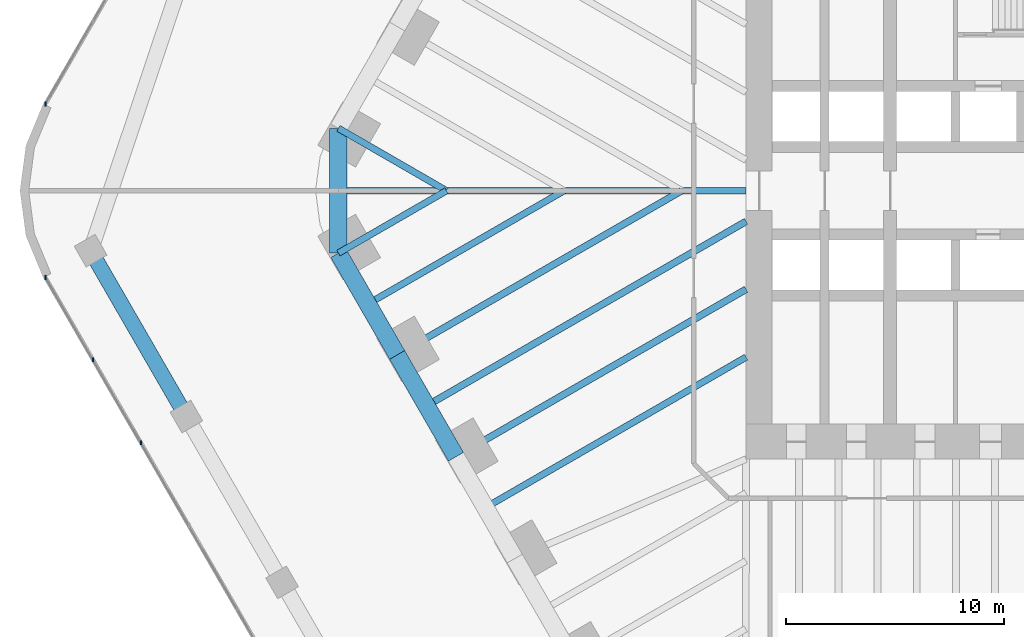
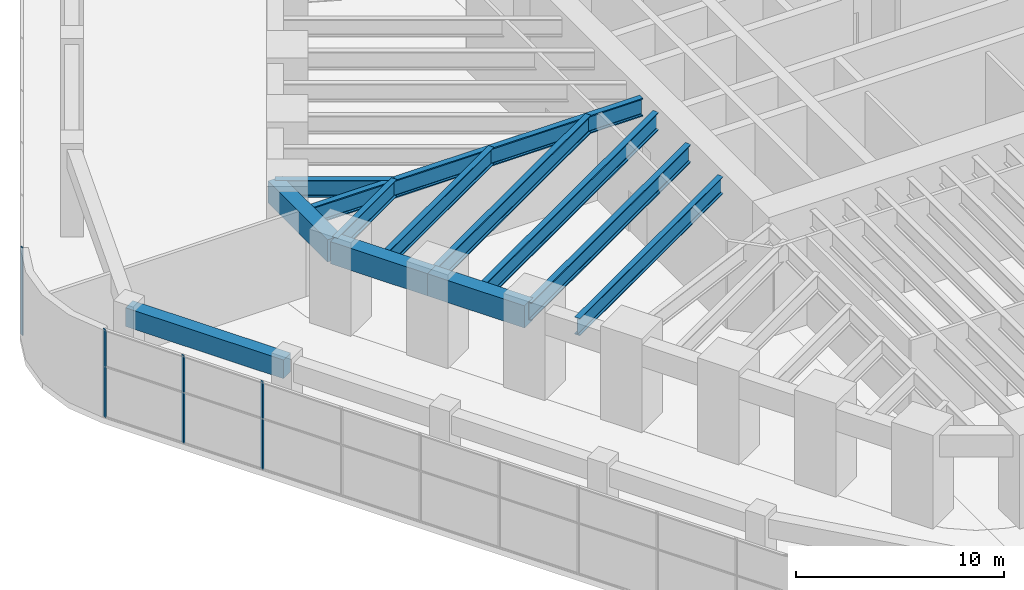
# One storey, part 9 of 31: 12 beams, 4 members, 2 elements without a shape of their own.
"""IFC4 building model written with IfcOpenShell, lengths in metres."""

from ifc_helpers import new_model, si_unit, direction, frame, origin, origin_2d, place, context, subcontext, project, spatial, rectangle, i_section, extrude, material, material_profile, profile_set, type_object, element, aggregate, save


model = new_model("IFC4")

# Units and contexts
model_context = context("Model", 3, precision=1e-05, world=origin(), true_north=direction((0.0, 1.0)))
body_context = subcontext(model_context, "Body", "Model", "MODEL_VIEW")
ifc_project = project(units=[si_unit("LENGTHUNIT", "METRE"), si_unit("AREAUNIT", "SQUARE_METRE"), si_unit("VOLUMEUNIT", "CUBIC_METRE"), si_unit("PLANEANGLEUNIT", "RADIAN"), si_unit("MASSUNIT", "GRAM", prefix="KILO")], contexts=[model_context])

# Site, building, storey
site_placement = place(None, origin())
site = spatial("IfcSite", under=ifc_project, at=site_placement, CompositionType="ELEMENT")
building_placement = place(site_placement, origin())
building = spatial("IfcBuilding", under=site, at=building_placement, Name="Tarfa Lantern Tower", CompositionType="ELEMENT")
storey_placement = place(building_placement, frame((0.0, 0.0, 13.0)))
storey = spatial("IfcBuildingStorey", under=building, at=storey_placement, Name="L02", CompositionType="ELEMENT", Elevation=13.0)

# Curtain wall, member
ifc_material_1 = material(Name="Aluminium framed curtain wall", Category="aluminium")
curtain_wall_type = type_object("IfcCurtainWallType", Name="CW7 PODIUM GLAZING 5150", PredefinedType="USERDEFINED", material=ifc_material_1)
curtain_wall_1_placement = place(storey_placement, origin())
curtain_wall_1 = element("IfcCurtainWall", 1, at=curtain_wall_1_placement, inside=storey, type_object=curtain_wall_type, Name="CW7 NW L02", ObjectType="CURTAIN WALL", PredefinedType="USERDEFINED")
ifc_material_2 = material(Name="Aluminium mullion", Category="aluminium")
ifc_material_profile_1 = material_profile(ifc_material_2, rectangle(XDim=0.06494140625, YDim=0.199951171875, at=origin_2d()), Name="AL MULLION 65x200")
ifc_profile_set_1 = profile_set([ifc_material_profile_1], Name="Aluminium mullion")
member_type = type_object("IfcMemberType", Name="CWM1 MULLION 65x200", PredefinedType="MULLION", material=ifc_profile_set_1)
member_1_placement = place(storey_placement, frame((-50.703857421875, 3.97802734375, 0.0), z_axis=(0.0, 0.0, 1.0), x_axis=(1.0, 0.0, 0.0)))
member_1 = element("IfcMember", 2, at=member_1_placement, type_object=member_type, Name="CW7 mullion 11", PredefinedType="MULLION", context=body_context, shape_type="SweptSolid", body=[
    extrude(rectangle(XDim=0.06494140625, YDim=0.199951171875, at=origin_2d()), origin(), (0.0, 0.0, 1.0), 5.14990234375),
])
aggregate(curtain_wall_1, [member_1])

# Curtain wall, members
curtain_wall_2_placement = place(storey_placement, origin())
curtain_wall_2 = element("IfcCurtainWall", 3, at=curtain_wall_2_placement, inside=storey, type_object=curtain_wall_type, Name="CW7 SW L02", ObjectType="CURTAIN WALL", PredefinedType="USERDEFINED")
member_2_placement = place(storey_placement, frame((-50.703857421875, -3.97802734375, 0.0), z_axis=(0.0, 0.0, 1.0), x_axis=(1.0, 0.0, 0.0)))
member_2 = element("IfcMember", 4, at=member_2_placement, type_object=member_type, Name="CW7 mullion 1", PredefinedType="MULLION", context=body_context, shape_type="SweptSolid", body=[
    extrude(rectangle(XDim=0.06494140625, YDim=0.199951171875, at=origin_2d()), origin(), (0.0, 0.0, 1.0), 5.14990234375),
])
member_3_placement = place(storey_placement, frame((-48.5263671875, -7.75, 0.0), z_axis=(0.0, 0.0, 1.0), x_axis=(1.0, 0.0, 0.0)))
member_3 = element("IfcMember", 5, at=member_3_placement, type_object=member_type, Name="CW7 mullion 2", PredefinedType="MULLION", context=body_context, shape_type="SweptSolid", body=[
    extrude(rectangle(XDim=0.06494140625, YDim=0.199951171875, at=origin_2d()), origin(), (0.0, 0.0, 1.0), 5.14990234375),
])
member_4_placement = place(storey_placement, frame((-46.332275390625, -11.550048828125, 0.0), z_axis=(0.0, 0.0, 1.0), x_axis=(1.0, 0.0, 0.0)))
member_4 = element("IfcMember", 6, at=member_4_placement, type_object=member_type, Name="CW7 mullion 3", PredefinedType="MULLION", context=body_context, shape_type="SweptSolid", body=[
    extrude(rectangle(XDim=0.06494140625, YDim=0.199951171875, at=origin_2d()), origin(), (0.0, 0.0, 1.0), 5.14990234375),
])
aggregate(curtain_wall_2, [member_2, member_3, member_4])

# Beams
ifc_material_3 = material(Name="Concrete C80/95", Category="concrete")
ifc_material_profile_2 = material_profile(ifc_material_3, rectangle(XDim=0.800048828125, YDim=1.300048828125, at=origin_2d()), Name="RC 800x1300")
ifc_profile_set_2 = profile_set([ifc_material_profile_2], Name="Concrete C80/95")
beam_type_1 = type_object("IfcBeamType", Name="EB1 RC 800x1300", PredefinedType="SPANDREL", material=ifc_profile_set_2)
beam_1_placement = place(storey_placement, frame((-37.285400390625, 2.860107421875, 4.5), z_axis=(0.0, -1.0, 0.0), x_axis=(1.0, 0.0, 0.0)))
element("IfcBeam", 7, at=beam_1_placement, inside=storey, type_object=beam_type_1, Name="Edge beam NW6", PredefinedType="SPANDREL", context=body_context, shape_type="SweptSolid", body=[
    extrude(rectangle(XDim=0.800048828125, YDim=1.300048828125, at=origin_2d()), origin(), (0.0, 0.0, 1.0), 5.72021484375),
])
beam_2_placement = place(storey_placement, frame((-37.285400390625, -2.860107421875, 4.5), z_axis=(0.500017906299, -0.866015065331, 0.0), x_axis=(0.866015065331, 0.500017906299, 0.0)))
element("IfcBeam", 8, at=beam_2_placement, inside=storey, type_object=beam_type_1, Name="Edge beam SW0", PredefinedType="SPANDREL", context=body_context, shape_type="SweptSolid", body=[
    extrude(rectangle(XDim=0.800048828125, YDim=1.300048828125, at=origin_2d()), origin(), (0.0, 0.0, 1.0), 5.388427734375),
])
beam_3_placement = place(storey_placement, frame((-34.591064453125, -7.526611328125, 4.5), z_axis=(0.499998287579, -0.866026392449, 0.0), x_axis=(0.866026392449, 0.499998287579, 0.0)))
element("IfcBeam", 9, at=beam_3_placement, inside=storey, type_object=beam_type_1, Name="Edge beam SW1", PredefinedType="SPANDREL", context=body_context, shape_type="SweptSolid", body=[
    extrude(rectangle(XDim=0.800048828125, YDim=1.300048828125, at=origin_2d()), origin(), (0.0, 0.0, 1.0), 5.388671875),
])
ifc_material_profile_3 = material_profile(ifc_material_3, rectangle(XDim=0.699951171875, YDim=1.10009765625, at=origin_2d()), Name="RC 700x1100")
ifc_profile_set_3 = profile_set([ifc_material_profile_3], Name="Concrete C80/95")
beam_type_2 = type_object("IfcBeamType", Name="PB1 RC 700x1100", PredefinedType="BEAM", material=ifc_profile_set_3)
beam_4_placement = place(storey_placement, frame((-48.641845703125, -2.75, 4.60009765625), z_axis=(0.50000179687, -0.866024366359, 0.0), x_axis=(0.866024366359, 0.50000179687, 0.0)))
element("IfcBeam", 10, at=beam_4_placement, inside=storey, type_object=beam_type_2, Name="Podium ring beam SW0", PredefinedType="BEAM", context=body_context, shape_type="SweptSolid", body=[
    extrude(rectangle(XDim=0.699951171875, YDim=1.10009765625, at=origin_2d()), origin(), (0.0, 0.0, 1.0), 8.77587890625),
])
ifc_material_4 = material(Name="Steel S460M", Category="steel")
ifc_material_profile_4 = material_profile(ifc_material_4, i_section(OverallWidth=0.302001953125, OverallDepth=1.008056640625, WebThickness=0.02099609375, FlangeThickness=0.0400390625, FilletRadius=0.030029296875, at=origin_2d()), Name="UB1016x305x349")
ifc_profile_set_4 = profile_set([ifc_material_profile_4], Name="Steel S460M")
beam_type_3 = type_object("IfcBeamType", Name="UB1016x305x349", PredefinedType="BEAM", material=ifc_profile_set_4)
for number, where, z_axis, x_axis, name in (
    (11, (-37.285400390625, 2.860107421875, 4.64599609375), (0.866025668288, -0.499999541866, 0.0), (0.499999541866, 0.866025668288, 0.0), "Floor beam NW6"),
    (12, (-37.285400390625, -2.860107421875, 4.64599609375), (0.866025668288, 0.499999541866, 0.0), (-0.499999541866, 0.866025668288, 0.0), "Floor beam SW0"),
):
    element("IfcBeam", number, at=place(storey_placement, frame(where, z_axis=z_axis, x_axis=x_axis)), inside=storey, type_object=beam_type_3, Name=name, PredefinedType="BEAM", context=body_context, shape_type="SweptSolid", body=[
        extrude(i_section(OverallWidth=0.302001953125, OverallDepth=1.008056640625, WebThickness=0.02099609375, FlangeThickness=0.0400390625, FilletRadius=0.030029296875, at=origin_2d()), origin(), (0.0, 0.0, 1.0), 5.72021484375),
    ])
beam_5_placement = place(storey_placement, frame((-35.938232421875, -5.193359375, 4.64599609375), z_axis=(0.866024317969, 0.500001880682, 0.0), x_axis=(-0.500001880682, 0.866024317969, 0.0)))
element("IfcBeam", 13, at=beam_5_placement, inside=storey, type_object=beam_type_3, Name="Floor beam SW0M", PredefinedType="BEAM", context=body_context, shape_type="SweptSolid", body=[
    extrude(i_section(OverallWidth=0.302001953125, OverallDepth=1.008056640625, WebThickness=0.02099609375, FlangeThickness=0.0400390625, FilletRadius=0.030029296875, at=origin_2d()), origin(), (0.0, 0.0, 1.0), 10.38671875),
])
beam_6_placement = place(storey_placement, frame((-30.549560546875, -14.526611328125, 4.64599609375), z_axis=(0.866028536827, 0.499994573371, 0.0), x_axis=(-0.499994573371, 0.866028536827, 0.0)))
element("IfcBeam", 14, at=beam_6_placement, inside=storey, type_object=beam_type_3, Name="Floor beam SW2M", PredefinedType="BEAM", context=body_context, shape_type="SweptSolid", body=[
    extrude(i_section(OverallWidth=0.302001953125, OverallDepth=1.008056640625, WebThickness=0.02099609375, FlangeThickness=0.0400390625, FilletRadius=0.030029296875, at=origin_2d()), origin(), (0.0, 0.0, 1.0), 13.798095703125),
])
ifc_material_profile_5 = material_profile(ifc_material_4, i_section(OverallWidth=0.314208984375, OverallDepth=1.055908203125, WebThickness=0.035888671875, FlangeThickness=0.06396484375, FilletRadius=0.030029296875, at=origin_2d()), Name="UB1016x305x584")
ifc_profile_set_5 = profile_set([ifc_material_profile_5], Name="Steel S460M")
beam_type_4 = type_object("IfcBeamType", Name="UB1016x305x584", PredefinedType="BEAM", material=ifc_profile_set_5)
beam_7_placement = place(storey_placement, frame((-18.60009765625, 0.0, 4.6220703125), z_axis=(-1.0, 0.0, 0.0), x_axis=(0.0, -1.0, 0.0)))
element("IfcBeam", 15, at=beam_7_placement, inside=storey, type_object=beam_type_4, Name="Hip girder W", PredefinedType="BEAM", context=body_context, shape_type="SweptSolid", body=[
    extrude(i_section(OverallWidth=0.314208984375, OverallDepth=1.055908203125, WebThickness=0.035888671875, FlangeThickness=0.06396484375, FilletRadius=0.030029296875, at=origin_2d()), origin(), (0.0, 0.0, 1.0), 18.685302734375),
])
beam_8_placement = place(storey_placement, frame((-34.591064453125, -7.526611328125, 4.6220703125), z_axis=(0.86602785945, 0.499995746638, 0.0), x_axis=(-0.499995746638, 0.86602785945, 0.0)))
element("IfcBeam", 16, at=beam_8_placement, inside=storey, type_object=beam_type_4, Name="Floor beam SW1", PredefinedType="BEAM", context=body_context, shape_type="SweptSolid", body=[
    extrude(i_section(OverallWidth=0.314208984375, OverallDepth=1.055908203125, WebThickness=0.035888671875, FlangeThickness=0.06396484375, FilletRadius=0.030029296875, at=origin_2d()), origin(), (0.0, 0.0, 1.0), 15.053466796875),
])
beam_9_placement = place(storey_placement, frame((-31.896728515625, -12.193359375, 4.6220703125), z_axis=(0.866026971665, 0.499997284341, 0.0), x_axis=(-0.499997284341, 0.866026971665, 0.0)))
element("IfcBeam", 17, at=beam_9_placement, inside=storey, type_object=beam_type_4, Name="Floor beam SW2", PredefinedType="BEAM", context=body_context, shape_type="SweptSolid", body=[
    extrude(i_section(OverallWidth=0.314208984375, OverallDepth=1.055908203125, WebThickness=0.035888671875, FlangeThickness=0.06396484375, FilletRadius=0.030029296875, at=origin_2d()), origin(), (0.0, 0.0, 1.0), 15.353515625),
])
beam_10_placement = place(storey_placement, frame((-33.243896484375, -9.860107421875, 4.6220703125), z_axis=(0.866019442478, 0.500010325144, 0.0), x_axis=(-0.500010325144, 0.866019442478, 0.0)))
element("IfcBeam", 18, at=beam_10_placement, inside=storey, type_object=beam_type_4, Name="Floor beam SW1M", PredefinedType="BEAM", context=body_context, shape_type="SweptSolid", body=[
    extrude(i_section(OverallWidth=0.314208984375, OverallDepth=1.055908203125, WebThickness=0.035888671875, FlangeThickness=0.06396484375, FilletRadius=0.030029296875, at=origin_2d()), origin(), (0.0, 0.0, 1.0), 16.909423828125),
])

save(model, "model.ifc")
